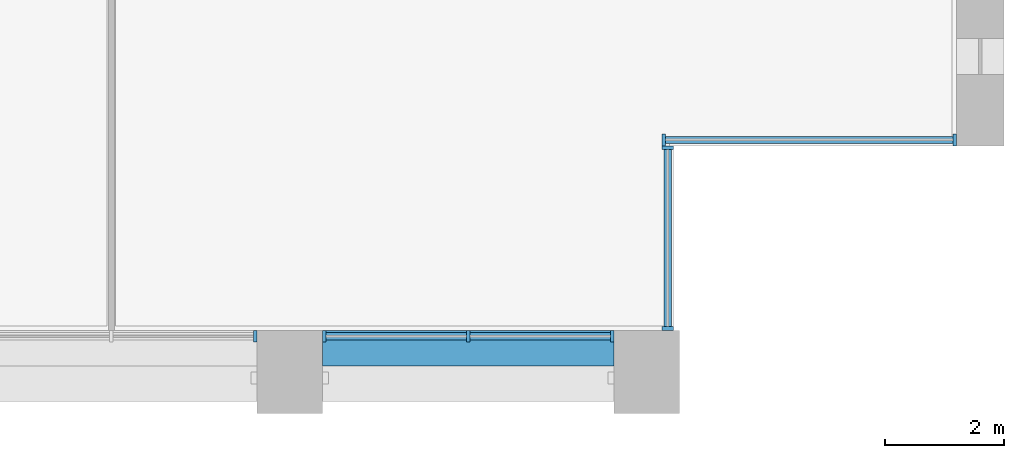
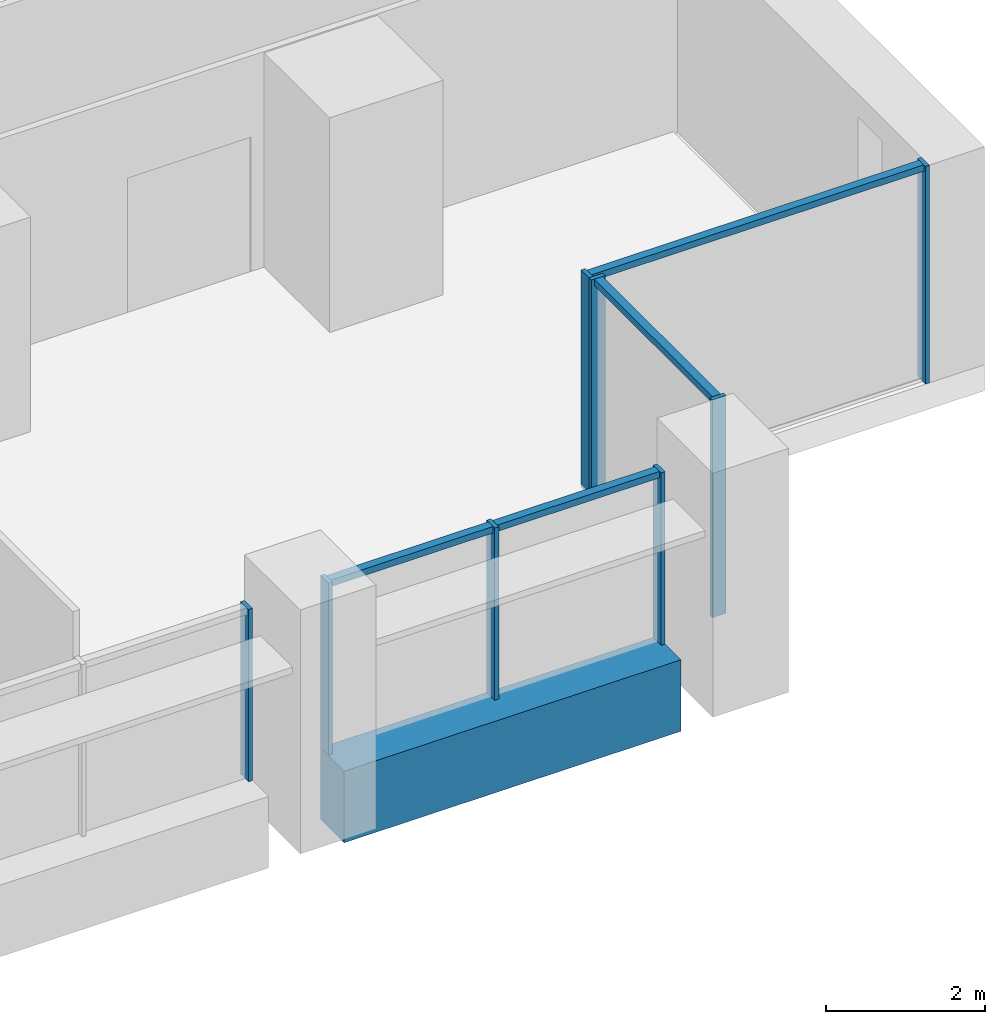
# One storey, part 5 of 18: 12 members, 1 beam, 4 elements without a shape of their own.
"""IFC4 building model written with IfcOpenShell, lengths in metres."""

import ifcopenshell
import ifcopenshell.guid

model = None  # the IFC model being written
_history = None  # IfcOwnerHistory: only IFC2X3 demands one
_inside = {}  # id of a spatial element -> (the spatial element, [elements in it])
_under = {}  # id of a project, library or spatial element -> (it, [spatial elements below it])
_declared = {}  # id of a project -> (the project, [libraries it declares])
_typed = {}  # id of a type object -> (the type object, [elements of that type])
_made_of = {}  # id of a material, layer set ... -> (it, [elements and type objects made of it])


def new_model(schema):
    """Start an empty IFC model of exactly this schema.

    Asked for "IFC4X3", IfcOpenShell would pick the latest addendum, in which some entities
    have other attributes; the version numbers below select the first issue.
    IFC2X3 requires an IfcOwnerHistory on every rooted entity: one is made here for all.
    """
    global model, _history
    if schema == "IFC4X3":
        model = ifcopenshell.file(schema_version=(4, 3, 0, 0))
    else:
        model = ifcopenshell.file(schema=schema)
    _inside.clear()
    _under.clear()
    _declared.clear()
    _typed.clear()
    _made_of.clear()
    _history = None
    if model.schema == "IFC2X3":
        org = make("IfcOrganization", Name="unknown")
        user = make(
            "IfcPersonAndOrganization",
            ThePerson=make("IfcPerson", FamilyName="unknown"),
            TheOrganization=org,
        )
        app = make(
            "IfcApplication",
            ApplicationDeveloper=org,
            Version="unknown",
            ApplicationFullName="unknown",
            ApplicationIdentifier="unknown",
        )
        _history = make(
            "IfcOwnerHistory",
            OwningUser=user,
            OwningApplication=app,
            ChangeAction="ADDED",
            CreationDate=0,
        )
    return model


def make(cls, **values):
    """One entity of the class cls with the attributes given. An attribute that is None is left unset."""
    return model.create_entity(
        cls, **{name: value for name, value in values.items() if value is not None}
    )


def rooted(cls, **values):
    """An entity with a GlobalId (a new one), such as an element, a storey or a relation."""
    return make(cls, GlobalId=ifcopenshell.guid.new(), OwnerHistory=_history, **values)


def si_unit(unit_type, name, prefix=None):
    """IfcSIUnit, for example si_unit("LENGTHUNIT", "METRE", prefix="MILLI")."""
    return make("IfcSIUnit", UnitType=unit_type, Prefix=prefix, Name=name)


def assignment(units):
    """IfcUnitAssignment: the units of a project."""
    return None if units is None else make("IfcUnitAssignment", Units=units)


def point(xyz):
    """IfcCartesianPoint."""
    return None if xyz is None else make("IfcCartesianPoint", Coordinates=xyz)


def direction(xyz):
    """IfcDirection."""
    return None if xyz is None else make("IfcDirection", DirectionRatios=xyz)


def frame(location, z_axis=None, x_axis=None):
    """IfcAxis2Placement3D, a coordinate frame: its origin and axes. An axis left out is left unset."""
    return make(
        "IfcAxis2Placement3D",
        Location=point(location),
        Axis=direction(z_axis),
        RefDirection=direction(x_axis),
    )


def frame_2d(location, x_axis=None):
    """IfcAxis2Placement2D, a coordinate frame in the plane: its origin and x axis."""
    return make(
        "IfcAxis2Placement2D", Location=point(location), RefDirection=direction(x_axis)
    )


def origin():
    """The frame at (0, 0, 0) with its axes left unset."""
    return frame((0.0, 0.0, 0.0))


def origin_2d():
    """The frame at (0, 0) in the plane with its x axis left unset."""
    return frame_2d((0.0, 0.0))


def place(relative_to, where):
    """IfcLocalPlacement: puts the frame where relative to a parent placement (None: the world)."""
    return make(
        "IfcLocalPlacement", PlacementRelTo=relative_to, RelativePlacement=where
    )


def context(
    kind, dimensions, precision=None, world=None, true_north=None, identifier=None
):
    """IfcGeometricRepresentationContext, for example the 3D "Model" context."""
    return make(
        "IfcGeometricRepresentationContext",
        ContextIdentifier=identifier,
        ContextType=kind,
        CoordinateSpaceDimension=dimensions,
        Precision=precision,
        WorldCoordinateSystem=world,
        TrueNorth=true_north,
    )


def subcontext(parent, identifier, kind, view, scale=None):
    """IfcGeometricRepresentationSubContext, for example "Body" below "Model"."""
    return make(
        "IfcGeometricRepresentationSubContext",
        ContextIdentifier=identifier,
        ContextType=kind,
        ParentContext=parent,
        TargetScale=scale,
        TargetView=view,
    )


def project(units=None, contexts=None):
    """IfcProject with its units and contexts."""
    return rooted(
        "IfcProject",
        Name="project",
        RepresentationContexts=contexts,
        UnitsInContext=assignment(units),
    )


def spatial(cls, under=None, at=None, **own):
    """A site, building, storey or space (cls), placed at a placement, below another one or the project."""
    s = rooted(cls, ObjectPlacement=at, **own)
    if under is not None:
        _under.setdefault(under.id(), (under, []))[1].append(s)
    return s


def profile(cls, at=None, kind="AREA", **sizes):
    """A parametric profile (cls). Its sizes go by their IFC names, for example OverallWidth=200.0."""
    return make(cls, ProfileType=kind, Position=at, **sizes)


def rectangle(**sizes):
    """IfcRectangleProfileDef."""
    return profile("IfcRectangleProfileDef", **sizes)


def extrude(swept, where, along, depth):
    """IfcExtrudedAreaSolid: the profile swept, set in the frame where, extruded along a direction by depth."""
    return make(
        "IfcExtrudedAreaSolid",
        SweptArea=swept,
        Position=where,
        ExtrudedDirection=direction(along),
        Depth=depth,
    )


def shape(context_of_items, identifier, shape_type, items):
    """IfcShapeRepresentation: the items that make up one representation, for example the "Body"."""
    return make(
        "IfcShapeRepresentation",
        ContextOfItems=context_of_items,
        RepresentationIdentifier=identifier,
        RepresentationType=shape_type,
        Items=items,
    )


def material(Name=None, Category=None):
    """IfcMaterial."""
    return make("IfcMaterial", Name=Name, Category=Category)


def material_profile(
    of_material, cross_section, Name=None, Category=None, Priority=None
):
    """IfcMaterialProfile: a cross section and its material."""
    return make(
        "IfcMaterialProfile",
        Name=Name,
        Material=of_material,
        Profile=cross_section,
        Priority=Priority,
        Category=Category,
    )


def profile_set(profiles, Name=None, composite=None):
    """IfcMaterialProfileSet."""
    return make(
        "IfcMaterialProfileSet",
        Name=Name,
        MaterialProfiles=profiles,
        CompositeProfile=composite,
    )


def made_of(thing, what):
    """Note that an element or type object is made of a material, layer set ...; save() writes the relation."""
    if what is not None:
        _made_of.setdefault(what.id(), (what, []))[1].append(thing)
    return thing


def type_object(cls, material=None, **own):
    """A type object (cls), such as IfcWallType, which elements share."""
    return made_of(rooted(cls, **own), material)


def element(
    cls,
    number,
    at=None,
    inside=None,
    cuts=None,
    type_object=None,
    material=None,
    context=None,
    identifier="Body",
    shape_type=None,
    held_by="IfcProductDefinitionShape",
    body=None,
    shapes=None,
    **own,
):
    """One element of the class cls, such as IfcWall. Its Tag is "e" and its number.

    at: its placement. inside: the storey or other place that contains it. cuts: it is an
    opening in that element (IfcRelVoidsElement). A single representation is given by context,
    identifier, shape_type and body (its items); several are given by shapes. held_by: the class
    of the entity that holds the representations. save() writes the other relations.
    """
    e = rooted(cls, Tag="e%d" % number, ObjectPlacement=at, **own)
    if body is not None:
        shapes = [shape(context, identifier, shape_type, body)]
    if shapes is not None:
        e.Representation = make(held_by, Representations=shapes)
    if inside is not None:
        _inside.setdefault(inside.id(), (inside, []))[1].append(e)
    if cuts is not None:
        rooted(
            "IfcRelVoidsElement", RelatingBuildingElement=cuts, RelatedOpeningElement=e
        )
    if type_object is not None:
        _typed.setdefault(type_object.id(), (type_object, []))[1].append(e)
    return made_of(e, material)


def aggregate(whole, parts):
    """IfcRelAggregates: a whole, such as a stair, and the parts it consists of."""
    return rooted("IfcRelAggregates", RelatingObject=whole, RelatedObjects=parts)


def save(model, path):
    """Write the relations noted so far, then the file.

    IfcRelAggregates (storeys below a building ...), IfcRelContainedInSpatialStructure (elements
    in a storey), IfcRelDefinesByType, IfcRelAssociatesMaterial and IfcRelDeclares: one each for
    every whole, place, type object, material and project.
    """
    for whole, parts in _under.values():
        aggregate(whole, parts)
    for where, things in _inside.values():
        rooted(
            "IfcRelContainedInSpatialStructure",
            RelatedElements=things,
            RelatingStructure=where,
        )
    for kind, things in _typed.values():
        rooted("IfcRelDefinesByType", RelatedObjects=things, RelatingType=kind)
    for what, things in _made_of.values():
        rooted("IfcRelAssociatesMaterial", RelatedObjects=things, RelatingMaterial=what)
    for by, libraries in _declared.values():
        rooted("IfcRelDeclares", RelatingContext=by, RelatedDefinitions=libraries)
    model.write(path)


model = new_model("IFC4")

# Units and contexts
model_context = context("Model", 3, precision=1e-05, world=origin(), true_north=direction((0.0, 1.0)))
body_context = subcontext(model_context, "Body", "Model", "MODEL_VIEW")
ifc_project = project(units=[si_unit("LENGTHUNIT", "METRE"), si_unit("AREAUNIT", "SQUARE_METRE"), si_unit("VOLUMEUNIT", "CUBIC_METRE"), si_unit("PLANEANGLEUNIT", "RADIAN"), si_unit("MASSUNIT", "GRAM", prefix="KILO")], contexts=[model_context])

# Site, building, storey
site_placement = place(None, origin())
site = spatial("IfcSite", under=ifc_project, at=site_placement, CompositionType="ELEMENT")
building_placement = place(site_placement, origin())
building = spatial("IfcBuilding", under=site, at=building_placement, Name="Calvaro Tower", CompositionType="ELEMENT")
storey_placement = place(building_placement, frame((0.0, 0.0, 56.25)))
storey = spatial("IfcBuildingStorey", under=building, at=storey_placement, Name="L13", CompositionType="ELEMENT", Elevation=56.25)

# Curtain wall, member
ifc_material_1 = material(Name="Anodised aluminium", Category="aluminium")
curtain_wall_type = type_object("IfcCurtainWallType", Name="Office curtain wall, lower zone", PredefinedType="NOTDEFINED", material=ifc_material_1)
curtain_wall_1_placement = place(storey_placement, origin())
curtain_wall_1 = element("IfcCurtainWall", 1, at=curtain_wall_1_placement, inside=storey, type_object=curtain_wall_type, Name="CW1 south curtain wall", PredefinedType="NOTDEFINED")
ifc_material_2 = material(Name="Anodised aluminium", Category="aluminium")
ifc_material_profile_1 = material_profile(ifc_material_2, rectangle(XDim=0.199951171875, YDim=0.06005859375, at=origin_2d()), Name="Mullion S1 60 x 200")
ifc_profile_set_1 = profile_set([ifc_material_profile_1], Name="Anodised aluminium")
member_type_1 = type_object("IfcMemberType", Name="Mullion S1 60 x 200", PredefinedType="MULLION", material=ifc_profile_set_1)
member_1_placement = place(storey_placement, frame((65.419921875, 1.300048828125, 0.0), z_axis=(0.0, 0.0, 1.0), x_axis=(0.0, 1.0, 0.0)))
member_1 = element("IfcMember", 2, at=member_1_placement, type_object=member_type_1, Name="CW1 mullion 3", PredefinedType="MULLION", context=body_context, shape_type="SweptSolid", body=[
    extrude(rectangle(XDim=0.199951171875, YDim=0.06005859375, at=origin_2d()), origin(), (0.0, 0.0, 1.0), 2.64990234375),
])
aggregate(curtain_wall_1, [member_1])

# Curtain wall, members
curtain_wall_2_placement = place(storey_placement, origin())
curtain_wall_2 = element("IfcCurtainWall", 3, at=curtain_wall_2_placement, inside=storey, type_object=curtain_wall_type, Name="CW1 south curtain wall", PredefinedType="NOTDEFINED")
member_2_placement = place(storey_placement, frame((66.580078125, 1.300048828125, 0.0), z_axis=(0.0, 0.0, 1.0), x_axis=(0.0, 1.0, 0.0)))
member_2 = element("IfcMember", 4, at=member_2_placement, type_object=member_type_1, Name="CW1 mullion 1", PredefinedType="MULLION", context=body_context, shape_type="SweptSolid", body=[
    extrude(rectangle(XDim=0.199951171875, YDim=0.06005859375, at=origin_2d()), origin(), (0.0, 0.0, 1.0), 2.64990234375),
])
member_3_placement = place(storey_placement, frame((69.0, 1.300048828125, 0.0), z_axis=(0.0, 0.0, 1.0), x_axis=(0.0, 1.0, 0.0)))
member_3 = element("IfcMember", 5, at=member_3_placement, type_object=member_type_1, Name="CW1 mullion 2", PredefinedType="MULLION", context=body_context, shape_type="SweptSolid", body=[
    extrude(rectangle(XDim=0.199951171875, YDim=0.06005859375, at=origin_2d()), origin(), (0.0, 0.0, 1.0), 2.64990234375),
])
member_4_placement = place(storey_placement, frame((71.419921875, 1.300048828125, 0.0), z_axis=(0.0, 0.0, 1.0), x_axis=(0.0, 1.0, 0.0)))
member_4 = element("IfcMember", 6, at=member_4_placement, type_object=member_type_1, Name="CW1 mullion 3", PredefinedType="MULLION", context=body_context, shape_type="SweptSolid", body=[
    extrude(rectangle(XDim=0.199951171875, YDim=0.06005859375, at=origin_2d()), origin(), (0.0, 0.0, 1.0), 2.64990234375),
])

curtain_wall_3_placement = place(storey_placement, origin())
curtain_wall_3 = element("IfcCurtainWall", 7, at=curtain_wall_3_placement, inside=storey, type_object=curtain_wall_type, Name="CW1 corner curtain wall", PredefinedType="NOTDEFINED")
member_5_placement = place(storey_placement, frame((72.35009765625, 1.429931640625, 0.0), z_axis=(0.0, 0.0, 1.0), x_axis=(-1.0, 0.0, 0.0)))
member_5 = element("IfcMember", 8, at=member_5_placement, type_object=member_type_1, Name="CW1 mullion 1", PredefinedType="MULLION", context=body_context, shape_type="SweptSolid", body=[
    extrude(rectangle(XDim=0.199951171875, YDim=0.06005859375, at=origin_2d()), origin(), (0.0, 0.0, 1.0), 3.35009765625),
])
member_6_placement = place(storey_placement, frame((72.35009765625, 4.469970703125, 0.0), z_axis=(0.0, 0.0, 1.0), x_axis=(-1.0, 0.0, 0.0)))
member_6 = element("IfcMember", 9, at=member_6_placement, type_object=member_type_1, Name="CW1 mullion 2", PredefinedType="MULLION", context=body_context, shape_type="SweptSolid", body=[
    extrude(rectangle(XDim=0.199951171875, YDim=0.06005859375, at=origin_2d()), origin(), (0.0, 0.0, 1.0), 3.35009765625),
])

curtain_wall_4_placement = place(storey_placement, origin())
curtain_wall_4 = element("IfcCurtainWall", 10, at=curtain_wall_4_placement, inside=storey, type_object=curtain_wall_type, Name="CW1 corner curtain wall", PredefinedType="NOTDEFINED")
member_7_placement = place(storey_placement, frame((72.280029296875, 4.60009765625, 0.0), z_axis=(0.0, 0.0, 1.0), x_axis=(0.0, 1.0, 0.0)))
member_7 = element("IfcMember", 11, at=member_7_placement, type_object=member_type_1, Name="CW1 mullion 1", PredefinedType="MULLION", context=body_context, shape_type="SweptSolid", body=[
    extrude(rectangle(XDim=0.199951171875, YDim=0.06005859375, at=origin_2d()), origin(), (0.0, 0.0, 1.0), 3.35009765625),
])
member_8_placement = place(storey_placement, frame((77.169921875, 4.60009765625, 0.0), z_axis=(0.0, 0.0, 1.0), x_axis=(0.0, 1.0, 0.0)))
member_8 = element("IfcMember", 12, at=member_8_placement, type_object=member_type_1, Name="CW1 mullion 2", PredefinedType="MULLION", context=body_context, shape_type="SweptSolid", body=[
    extrude(rectangle(XDim=0.199951171875, YDim=0.06005859375, at=origin_2d()), origin(), (0.0, 0.0, 1.0), 3.35009765625),
])

# Beam
ifc_material_3 = material(Name="Concrete C50/60 precast", Category="concrete")
ifc_material_profile_2 = material_profile(ifc_material_3, rectangle(XDim=0.60009765625, YDim=1.10009765625, at=origin_2d()), Name="RC 600x1100")
ifc_profile_set_2 = profile_set([ifc_material_profile_2], Name="Concrete C50/60 precast")
beam_type = type_object("IfcBeamType", Name="Spandrel beam 600x1100 C50/60", PredefinedType="SPANDREL", material=ifc_profile_set_2)
beam_placement = place(storey_placement, frame((66.550048828125, 1.10009765625, -0.550048828125), z_axis=(1.0, 0.0, 0.0), x_axis=(0.0, 1.0, 0.0)))
element("IfcBeam", 13, at=beam_placement, inside=storey, type_object=beam_type, Name="Spandrel beam", PredefinedType="SPANDREL", context=body_context, shape_type="SweptSolid", body=[
    extrude(rectangle(XDim=0.60009765625, YDim=1.10009765625, at=origin_2d()), origin(), (0.0, 0.0, 1.0), 4.89990234375),
])

# Member
ifc_material_4 = material(Name="Anodised aluminium", Category="aluminium")
ifc_material_profile_3 = material_profile(ifc_material_4, rectangle(XDim=0.1201171875, YDim=0.10009765625, at=origin_2d()), Name="Transom S1 100 x 120")
ifc_profile_set_3 = profile_set([ifc_material_profile_3], Name="Anodised aluminium")
member_type_2 = type_object("IfcMemberType", Name="Transom S1 100 x 120", PredefinedType="USERDEFINED", material=ifc_profile_set_3)
member_9_placement = place(storey_placement, frame((66.610107421875, 1.300048828125, 2.60009765625), z_axis=(1.0, 0.0, 0.0), x_axis=(0.0, 1.0, 0.0)))
member_9 = element("IfcMember", 14, at=member_9_placement, type_object=member_type_2, Name="CW1 transom 1.1", ObjectType="TRANSOM", PredefinedType="USERDEFINED", context=body_context, shape_type="SweptSolid", body=[
    extrude(rectangle(XDim=0.1201171875, YDim=0.10009765625, at=origin_2d()), origin(), (0.0, 0.0, 1.0), 2.35986328125),
])

member_10_placement = place(storey_placement, frame((69.030029296875, 1.300048828125, 2.60009765625), z_axis=(1.0, 0.0, 0.0), x_axis=(0.0, 1.0, 0.0)))
member_10 = element("IfcMember", 15, at=member_10_placement, type_object=member_type_2, Name="CW1 transom 2.1", ObjectType="TRANSOM", PredefinedType="USERDEFINED", context=body_context, shape_type="SweptSolid", body=[
    extrude(rectangle(XDim=0.1201171875, YDim=0.10009765625, at=origin_2d()), origin(), (0.0, 0.0, 1.0), 2.35986328125),
])

aggregate(curtain_wall_2, [member_2, member_3, member_4, member_9, member_10])

member_11_placement = place(storey_placement, frame((72.35009765625, 1.4599609375, 3.300048828125), z_axis=(0.0, 1.0, 0.0), x_axis=(-1.0, 0.0, 0.0)))
member_11 = element("IfcMember", 16, at=member_11_placement, type_object=member_type_2, Name="CW1 transom 1.1", ObjectType="TRANSOM", PredefinedType="USERDEFINED", context=body_context, shape_type="SweptSolid", body=[
    extrude(rectangle(XDim=0.1201171875, YDim=0.10009765625, at=origin_2d()), origin(), (0.0, 0.0, 1.0), 2.97998046875),
])

aggregate(curtain_wall_3, [member_5, member_6, member_11])

member_12_placement = place(storey_placement, frame((72.31005859375, 4.60009765625, 3.300048828125), z_axis=(1.0, 0.0, 0.0), x_axis=(0.0, 1.0, 0.0)))
member_12 = element("IfcMember", 17, at=member_12_placement, type_object=member_type_2, Name="CW1 transom 1.1", ObjectType="TRANSOM", PredefinedType="USERDEFINED", context=body_context, shape_type="SweptSolid", body=[
    extrude(rectangle(XDim=0.1201171875, YDim=0.10009765625, at=origin_2d()), origin(), (0.0, 0.0, 1.0), 4.829833984375),
])

aggregate(curtain_wall_4, [member_7, member_8, member_12])

save(model, "model.ifc")
